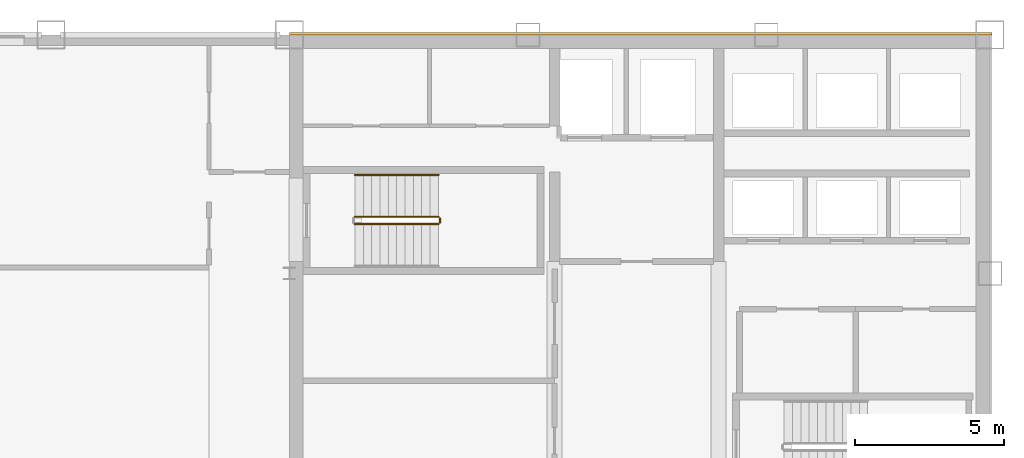
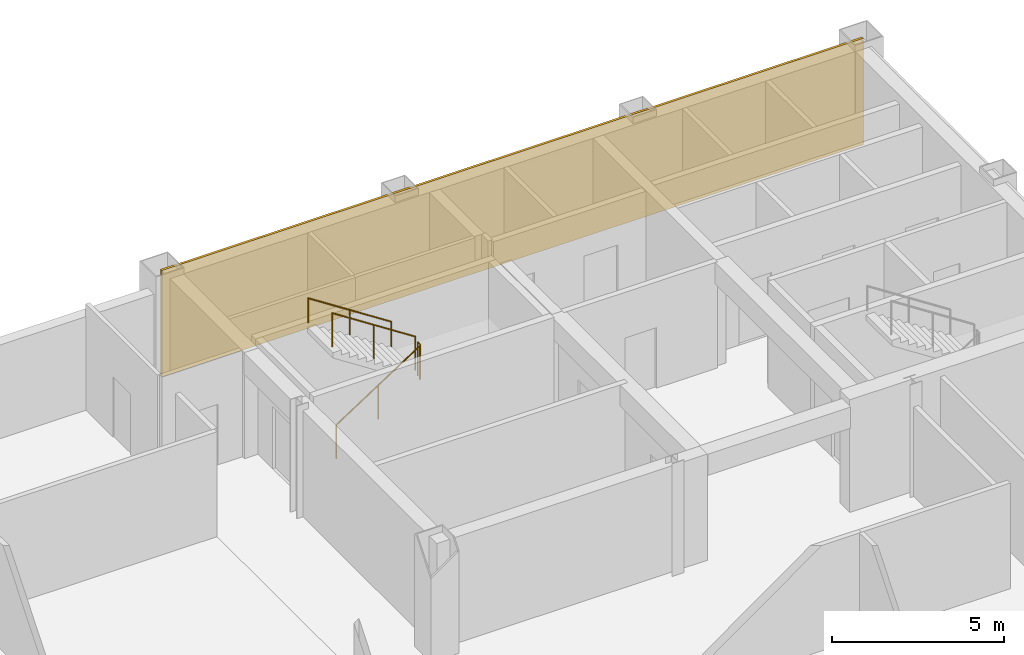
# One storey, part 10 of 10: 4 railings, 1 covering.
"""IFC4 building model written with IfcOpenShell, lengths in metres."""

from ifc_helpers import new_model, si_unit, direction, frame, origin, origin_2d, place, context, subcontext, project, spatial, rectangle, circle, extrude, material, layer, layer_set, type_object, element, save


model = new_model("IFC4")

# Units and contexts
model_context = context("Model", 3, precision=1e-05, world=origin(), true_north=direction((0.0, 1.0)))
body_context = subcontext(model_context, "Body", "Model", "MODEL_VIEW")
ifc_project = project(units=[si_unit("LENGTHUNIT", "METRE"), si_unit("AREAUNIT", "SQUARE_METRE"), si_unit("VOLUMEUNIT", "CUBIC_METRE"), si_unit("PLANEANGLEUNIT", "RADIAN"), si_unit("MASSUNIT", "GRAM", prefix="KILO")], contexts=[model_context])

# Site, building, storey
site_placement = place(None, origin())
site = spatial("IfcSite", under=ifc_project, at=site_placement, CompositionType="ELEMENT")
building_placement = place(site_placement, origin())
building = spatial("IfcBuilding", under=site, at=building_placement, Name="Qianrong Seaharbour Tower", CompositionType="ELEMENT")
storey_placement = place(building_placement, frame((0.0, 0.0, 249.800048828125)))
storey = spatial("IfcBuildingStorey", under=building, at=storey_placement, Name="L60", CompositionType="ELEMENT", Elevation=249.800048828125)

# Covering
ifc_material_1 = material(Name="Unitised red brick cladding on Precast concrete C45/55", Category="masonry")
ifc_layer = layer(ifc_material_1, 0.080078125)
ifc_layer_set = layer_set([ifc_layer], Name="Unitised red brick cladding on Precast concrete C45/55")
covering_type = type_object("IfcCoveringType", Name="COV-CLAD-RED-BRICK-80", PredefinedType="CLADDING", material=ifc_layer_set)
covering_placement = place(storey_placement, frame((52.2900390625, 52.0400390625, 0.0), z_axis=(0.0, 0.0, 1.0), x_axis=(1.0, 0.0, 0.0)))
element("IfcCovering", 1, at=covering_placement, inside=storey, type_object=covering_type, Name="L60 North Core Brick Veneer Cladding", PredefinedType="CLADDING", context=body_context, shape_type="SweptSolid", body=[
    extrude(rectangle(XDim=23.580078125, YDim=0.080078125, at=origin_2d()), origin(), (0.0, 0.0, 1.0), 3.77490234375),
])

# Railings
ifc_material_2 = material(Name="Galvanized painted steel SN400B stair guard", Category="steel")
railing_type_1 = type_object("IfcRailingType", Name="RAIL-STAIR-GUARD-1220", PredefinedType="GUARDRAIL", material=ifc_material_2)
railing_1_placement = place(storey_placement, frame((42.699951171875, 45.64990234375, 0.181884765625)))
element("IfcRailing", 2, at=railing_1_placement, inside=storey, type_object=railing_type_1, Name="L60 ST-1 stair guard 1", PredefinedType="GUARDRAIL", context=body_context, shape_type="SweptSolid", body=[
    extrude(circle(Radius=0.02392578125, at=origin_2d()), frame((0.0, 0.0, 1.19580078125), z_axis=(0.838705829183, 0.0, 0.544584733623), x_axis=(0.0, 1.0, 0.0)), (0.0, 0.0, 1.0), 3.338623046875),
    extrude(circle(Radius=0.02099609375, at=origin_2d()), origin(), (0.0, 0.0, 1.0), 1.171875),
    extrude(circle(Radius=0.02099609375, at=origin_2d()), frame((1.39990234375, 0.0, 0.9091796875)), (0.0, 0.0, 1.0), 1.171875),
    extrude(circle(Radius=0.02099609375, at=origin_2d()), frame((2.800048828125, 0.0, 1.818115234375)), (0.0, 0.0, 1.0), 1.171875),
])
railing_2_placement = place(storey_placement, frame((45.550048828125, 45.699951171875, 2.0)))
element("IfcRailing", 3, at=railing_2_placement, inside=storey, type_object=railing_type_1, Name="L60 ST-1 stair guard 2", PredefinedType="GUARDRAIL", context=body_context, shape_type="SweptSolid", body=[
    extrude(circle(Radius=0.02392578125, at=origin_2d()), frame((0.0, 0.0, 1.19580078125), z_axis=(0.0, 1.0, 0.0), x_axis=(-1.0, 0.0, 0.0)), (0.0, 0.0, 1.0), 0.150146484375),
    extrude(circle(Radius=0.02099609375, at=origin_2d()), origin(), (0.0, 0.0, 1.0), 1.171875),
    extrude(circle(Radius=0.02099609375, at=origin_2d()), frame((0.0, 0.150146484375, 0.0)), (0.0, 0.0, 1.0), 1.171875),
])
railing_3_placement = place(storey_placement, frame((45.5, 45.89990234375, 2.181884765625)))
element("IfcRailing", 4, at=railing_3_placement, inside=storey, type_object=railing_type_1, Name="L60 ST-1 stair guard 3", PredefinedType="GUARDRAIL", context=body_context, shape_type="SweptSolid", body=[
    extrude(circle(Radius=0.02392578125, at=origin_2d()), frame((0.0, 0.0, 1.19580078125), z_axis=(-0.838705829183, 0.0, 0.544584733623), x_axis=(0.0, -1.0, 0.0)), (0.0, 0.0, 1.0), 3.338623046875),
    extrude(circle(Radius=0.02099609375, at=origin_2d()), origin(), (0.0, 0.0, 1.0), 1.171875),
    extrude(circle(Radius=0.02099609375, at=origin_2d()), frame((-1.39990234375, 0.0, 0.9091796875)), (0.0, 0.0, 1.0), 1.171875),
    extrude(circle(Radius=0.02099609375, at=origin_2d()), frame((-2.800048828125, 0.0, 1.818115234375)), (0.0, 0.0, 1.0), 1.171875),
])
ifc_material_3 = material(Name="Stainless steel SUS316L continuous handrail", Category="steel")
railing_type_2 = type_object("IfcRailingType", Name="RAIL-STAIR-HANDRAIL-900", PredefinedType="HANDRAIL", material=ifc_material_3)
railing_4_placement = place(storey_placement, frame((45.5, 47.300048828125, 2.181884765625)))
element("IfcRailing", 5, at=railing_4_placement, inside=storey, type_object=railing_type_2, Name="L60 ST-1 stair handrail 2", PredefinedType="HANDRAIL", context=body_context, shape_type="SweptSolid", body=[
    extrude(circle(Radius=0.02392578125, at=origin_2d()), frame((0.0, 0.0, 0.8759765625), z_axis=(-0.838705829183, 0.0, 0.544584733623), x_axis=(0.0, -1.0, 0.0)), (0.0, 0.0, 1.0), 3.338623046875),
    extrude(circle(Radius=0.02099609375, at=origin_2d()), origin(), (0.0, 0.0, 1.0), 0.851806640625),
    extrude(circle(Radius=0.02099609375, at=origin_2d()), frame((-1.39990234375, 0.0, 0.9091796875)), (0.0, 0.0, 1.0), 0.851806640625),
    extrude(circle(Radius=0.02099609375, at=origin_2d()), frame((-2.800048828125, 0.0, 1.818115234375)), (0.0, 0.0, 1.0), 0.851806640625),
])

save(model, "model.ifc")
